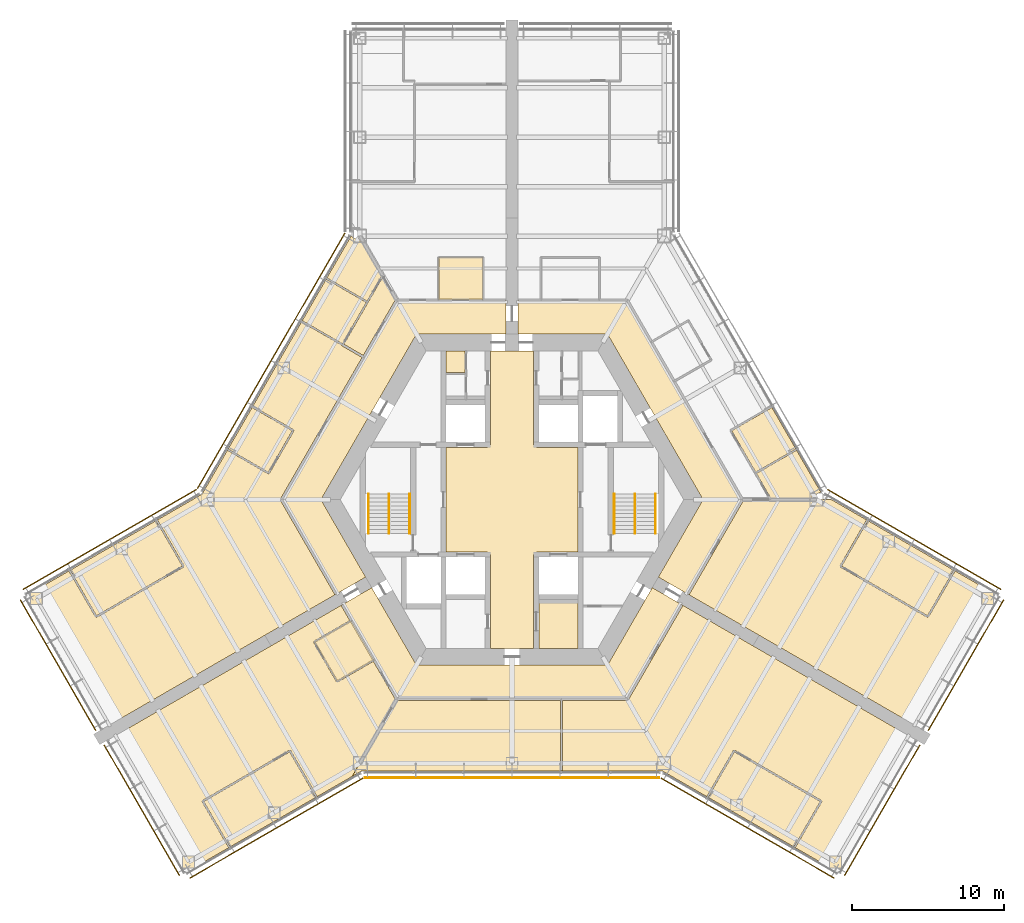
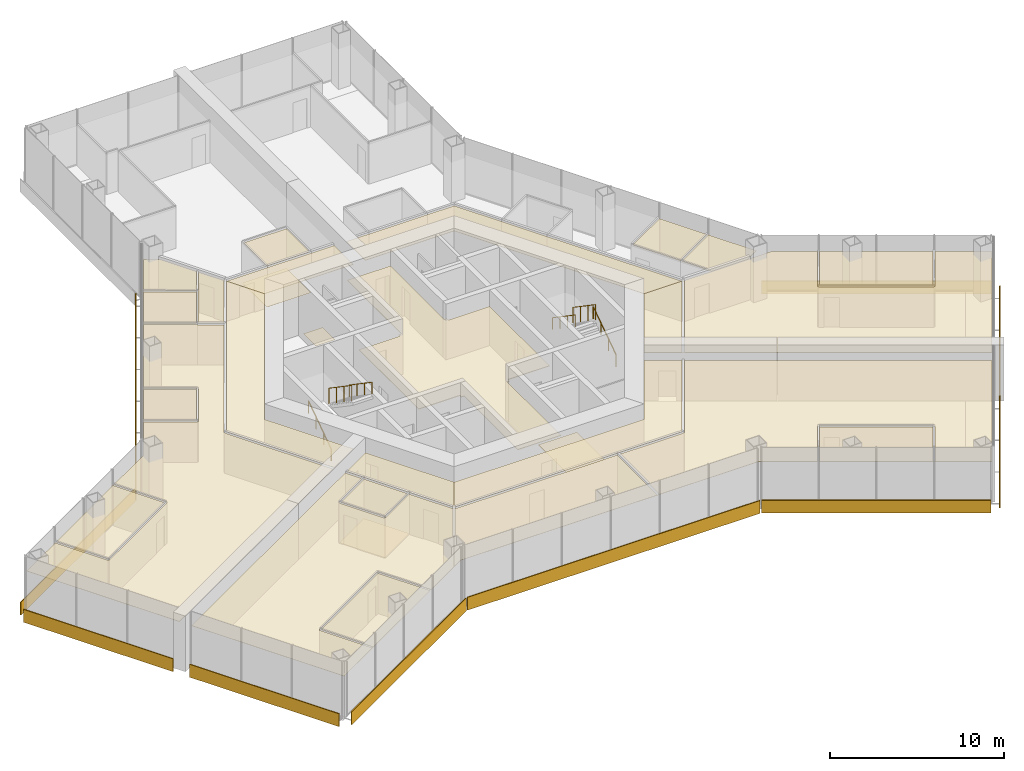
# One storey, part 17 of 18: 28 coverings, 10 shading devices, 6 railings.
"""IFC4 building model written with IfcOpenShell, lengths in metres."""

from ifc_helpers import new_model, si_unit, direction, frame, origin, origin_2d, place, context, subcontext, project, spatial, polyline, rectangle, circle, outline, extrude, material, layer, layer_set, type_object, element, save


model = new_model("IFC4")

# Units and contexts
model_context = context("Model", 3, precision=1e-05, world=origin(), true_north=direction((0.0, 1.0)))
body_context = subcontext(model_context, "Body", "Model", "MODEL_VIEW")
ifc_project = project(units=[si_unit("LENGTHUNIT", "METRE"), si_unit("AREAUNIT", "SQUARE_METRE"), si_unit("VOLUMEUNIT", "CUBIC_METRE"), si_unit("PLANEANGLEUNIT", "RADIAN"), si_unit("MASSUNIT", "GRAM", prefix="KILO")], contexts=[model_context])

# Site, building, storey
site_placement = place(None, origin())
site = spatial("IfcSite", under=ifc_project, at=site_placement, CompositionType="ELEMENT")
building_placement = place(site_placement, origin())
building = spatial("IfcBuilding", under=site, at=building_placement, Name="Kasaneha Research Tower", CompositionType="ELEMENT")
storey_placement = place(building_placement, frame((0.0, 0.0, 65.10009765625)))
storey = spatial("IfcBuildingStorey", under=building, at=storey_placement, Name="L16", CompositionType="ELEMENT", Elevation=65.10009765625)

# Covering
ifc_material_1 = material(Name="Aluminium panel ceiling", Category="aluminium")
ifc_layer_1 = layer(ifc_material_1, 0.0400390625)
ifc_layer_set_1 = layer_set([ifc_layer_1], Name="Lift lobby ceiling 40")
covering_type_1 = type_object("IfcCoveringType", Name="Lift lobby ceiling 40", PredefinedType="CEILING", material=ifc_layer_set_1)
covering_1_placement = place(storey_placement, frame((0.0, 0.0, 2.699951171875)))
element("IfcCovering", 1, at=covering_1_placement, inside=storey, type_object=covering_type_1, Name="Ceiling L16-01", PredefinedType="CEILING", context=body_context, shape_type="SweptSolid", body=[
    extrude(outline(polyline([(1.425048828125, 9.77490234375), (1.425048828125, 3.60009765625), (1.60009765625, 3.60009765625), (1.60009765625, 3.425048828125), (4.324951171875, 3.425048828125), (4.324951171875, -3.425048828125), (1.60009765625, -3.425048828125), (1.60009765625, -3.60009765625), (1.425048828125, -3.60009765625), (1.425048828125, -9.77490234375), (-1.425048828125, -9.77490234375), (-1.425048828125, -3.60009765625), (-1.60009765625, -3.60009765625), (-1.60009765625, -3.425048828125), (-4.324951171875, -3.425048828125), (-4.324951171875, 3.425048828125), (-1.60009765625, 3.425048828125), (-1.60009765625, 3.60009765625), (-1.425048828125, 3.60009765625), (-1.425048828125, 9.77490234375), (1.425048828125, 9.77490234375)])), origin(), (0.0, 0.0, 1.0), 0.0400390625),
])

# Railings
ifc_material_2 = material(Name="Steel", Category="steel")
railing_type_1 = type_object("IfcRailingType", Name="Stair balustrade 1100", PredefinedType="GUARDRAIL", material=ifc_material_2)
for number, where, name in (
    (2, (8.074951171875, 0.375, 2.127197265625), "Stair 1 balustrade L16"),
    (3, (-8.074951171875, 0.375, 2.127197265625), "Stair 2 balustrade L16"),
):
    element("IfcRailing", number, at=place(storey_placement, frame(where)), inside=storey, type_object=railing_type_1, Name=name, PredefinedType="GUARDRAIL", context=body_context, shape_type="SweptSolid", body=[
        extrude(circle(Radius=0.02392578125, at=origin_2d()), frame((0.0, 0.0, 1.076171875), z_axis=(0.0, -0.826240473404, 0.563317565952), x_axis=(1.0, 0.0, 0.0)), (0.0, 0.0, 1.0), 3.14697265625),
        extrude(circle(Radius=0.02099609375, at=origin_2d()), origin(), (0.0, 0.0, 1.0), 1.052001953125),
        extrude(circle(Radius=0.02099609375, at=origin_2d()), frame((0.0, -0.86669921875, 0.5908203125)), (0.0, 0.0, 1.0), 1.052001953125),
        extrude(circle(Radius=0.02099609375, at=origin_2d()), frame((0.0, -1.7333984375, 1.181884765625)), (0.0, 0.0, 1.0), 1.052001953125),
        extrude(circle(Radius=0.02099609375, at=origin_2d()), frame((0.0, -2.60009765625, 1.772705078125)), (0.0, 0.0, 1.0), 1.052001953125),
    ])
ifc_material_3 = material(Name="Steel", Category="steel")
railing_type_2 = type_object("IfcRailingType", Name="Stair handrail 850", PredefinedType="HANDRAIL", material=ifc_material_3)
railing_1_placement = place(storey_placement, frame((9.425048828125, -2.22509765625, 0.17724609375)))
element("IfcRailing", 4, at=railing_1_placement, inside=storey, type_object=railing_type_2, Name="Stair 1 handrail L16", PredefinedType="HANDRAIL", context=body_context, shape_type="SweptSolid", body=[
    extrude(circle(Radius=0.02392578125, at=origin_2d()), frame((0.0, 0.0, 0.826171875), z_axis=(0.0, 0.826240473404, 0.563317565952), x_axis=(-1.0, 0.0, 0.0)), (0.0, 0.0, 1.0), 3.14697265625),
    extrude(circle(Radius=0.02099609375, at=origin_2d()), origin(), (0.0, 0.0, 1.0), 0.802001953125),
    extrude(circle(Radius=0.02099609375, at=origin_2d()), frame((0.0, 0.86669921875, 0.5908203125)), (0.0, 0.0, 1.0), 0.802001953125),
    extrude(circle(Radius=0.02099609375, at=origin_2d()), frame((0.0, 1.7333984375, 1.181884765625)), (0.0, 0.0, 1.0), 0.802001953125),
    extrude(circle(Radius=0.02099609375, at=origin_2d()), frame((0.0, 2.60009765625, 1.772705078125)), (0.0, 0.0, 1.0), 0.802001953125),
])
railing_2_placement = place(storey_placement, frame((6.72509765625, 0.375, 2.127197265625)))
element("IfcRailing", 5, at=railing_2_placement, inside=storey, type_object=railing_type_2, Name="Stair 1 handrail L16", PredefinedType="HANDRAIL", context=body_context, shape_type="SweptSolid", body=[
    extrude(circle(Radius=0.02392578125, at=origin_2d()), frame((0.0, 0.0, 0.826171875), z_axis=(0.0, -0.826240473404, 0.563317565952), x_axis=(1.0, 0.0, 0.0)), (0.0, 0.0, 1.0), 3.14697265625),
    extrude(circle(Radius=0.02099609375, at=origin_2d()), origin(), (0.0, 0.0, 1.0), 0.802001953125),
    extrude(circle(Radius=0.02099609375, at=origin_2d()), frame((0.0, -0.86669921875, 0.5908203125)), (0.0, 0.0, 1.0), 0.802001953125),
    extrude(circle(Radius=0.02099609375, at=origin_2d()), frame((0.0, -1.7333984375, 1.181884765625)), (0.0, 0.0, 1.0), 0.802001953125),
    extrude(circle(Radius=0.02099609375, at=origin_2d()), frame((0.0, -2.60009765625, 1.772705078125)), (0.0, 0.0, 1.0), 0.802001953125),
])
railing_3_placement = place(storey_placement, frame((-9.425048828125, -2.22509765625, 0.17724609375)))
element("IfcRailing", 6, at=railing_3_placement, inside=storey, type_object=railing_type_2, Name="Stair 2 handrail L16", PredefinedType="HANDRAIL", context=body_context, shape_type="SweptSolid", body=[
    extrude(circle(Radius=0.02392578125, at=origin_2d()), frame((0.0, 0.0, 0.826171875), z_axis=(0.0, 0.826240473404, 0.563317565952), x_axis=(-1.0, 0.0, 0.0)), (0.0, 0.0, 1.0), 3.14697265625),
    extrude(circle(Radius=0.02099609375, at=origin_2d()), origin(), (0.0, 0.0, 1.0), 0.802001953125),
    extrude(circle(Radius=0.02099609375, at=origin_2d()), frame((0.0, 0.86669921875, 0.5908203125)), (0.0, 0.0, 1.0), 0.802001953125),
    extrude(circle(Radius=0.02099609375, at=origin_2d()), frame((0.0, 1.7333984375, 1.181884765625)), (0.0, 0.0, 1.0), 0.802001953125),
    extrude(circle(Radius=0.02099609375, at=origin_2d()), frame((0.0, 2.60009765625, 1.772705078125)), (0.0, 0.0, 1.0), 0.802001953125),
])
railing_4_placement = place(storey_placement, frame((-6.72509765625, 0.375, 2.127197265625)))
element("IfcRailing", 7, at=railing_4_placement, inside=storey, type_object=railing_type_2, Name="Stair 2 handrail L16", PredefinedType="HANDRAIL", context=body_context, shape_type="SweptSolid", body=[
    extrude(circle(Radius=0.02392578125, at=origin_2d()), frame((0.0, 0.0, 0.826171875), z_axis=(0.0, -0.826240473404, 0.563317565952), x_axis=(1.0, 0.0, 0.0)), (0.0, 0.0, 1.0), 3.14697265625),
    extrude(circle(Radius=0.02099609375, at=origin_2d()), origin(), (0.0, 0.0, 1.0), 0.802001953125),
    extrude(circle(Radius=0.02099609375, at=origin_2d()), frame((0.0, -0.86669921875, 0.5908203125)), (0.0, 0.0, 1.0), 0.802001953125),
    extrude(circle(Radius=0.02099609375, at=origin_2d()), frame((0.0, -1.7333984375, 1.181884765625)), (0.0, 0.0, 1.0), 0.802001953125),
    extrude(circle(Radius=0.02099609375, at=origin_2d()), frame((0.0, -2.60009765625, 1.772705078125)), (0.0, 0.0, 1.0), 0.802001953125),
])

# Coverings
ifc_material_4 = material(Name="Gypsum ceiling board", Category="gypsum")
ifc_layer_2 = layer(ifc_material_4, 0.02001953125)
ifc_layer_set_2 = layer_set([ifc_layer_2], Name="Suspended ceiling 20")
covering_type_2 = type_object("IfcCoveringType", Name="Suspended ceiling 20", PredefinedType="CEILING", material=ifc_layer_set_2)
covering_2_placement = place(storey_placement, frame((0.0, 0.0, 2.7998046875)))
element("IfcCovering", 8, at=covering_2_placement, inside=storey, type_object=covering_type_2, Name="Ceiling L16-27", PredefinedType="CEILING", context=body_context, shape_type="SweptSolid", body=[
    extrude(outline(polyline([(6.278564453125, 10.875), (0.39990234375, 10.875), (0.39990234375, 11.72509765625), (0.39990234375, 12.72509765625), (0.39990234375, 13.125), (0.419921875, 13.125), (0.419921875, 13.050048828125), (1.89501953125, 13.050048828125), (1.904541015625, 13.050048828125), (5.75244140625, 13.050048828125), (5.761962890625, 13.050048828125), (7.534423828125, 13.050048828125), (9.103759765625, 10.33154296875), (9.103759765625, 10.33154296875), (10.599365234375, 7.7412109375), (10.599365234375, 7.7412109375), (15.06884765625, 0.0), (12.557373046875, 0.0), (6.278564453125, 10.875)])), origin(), (0.0, 0.0, 1.0), 0.02001953125),
])
covering_3_placement = place(storey_placement, frame((0.0, 0.0, 2.7998046875)))
element("IfcCovering", 9, at=covering_3_placement, inside=storey, type_object=covering_type_2, Name="Ceiling L16-32", PredefinedType="CEILING", context=body_context, shape_type="SweptSolid", body=[
    extrude(outline(polyline([(18.679443359375, 3.287353515625), (18.662109375, 3.27734375), (18.63720703125, 3.320556640625), (16.0146484375, 1.812255859375), (14.43994140625, 4.530517578125), (17.081298828125, 6.055419921875), (17.05615234375, 6.098876953125), (17.05615234375, 6.098876953125), (18.679443359375, 3.287353515625)])), origin(), (0.0, 0.0, 1.0), 0.02001953125),
])
covering_4_placement = place(storey_placement, frame((0.0, 0.0, 2.7998046875)))
element("IfcCovering", 10, at=covering_4_placement, inside=storey, type_object=covering_type_2, Name="Ceiling L16-33", PredefinedType="CEILING", context=body_context, shape_type="SweptSolid", body=[
    extrude(outline(polyline([(20.28759765625, 0.501708984375), (19.41845703125, 0.0), (16.997802734375, 0.0), (16.986328125, 0.02001953125), (17.029541015625, 0.044921875), (16.064697265625, 1.7255859375), (18.68701171875, 3.23388671875), (18.662109375, 3.27734375), (18.679443359375, 3.287353515625), (20.28759765625, 0.501708984375)])), origin(), (0.0, 0.0, 1.0), 0.02001953125),
])
covering_5_placement = place(storey_placement, frame((0.0, 0.0, 2.7998046875)))
element("IfcCovering", 11, at=covering_5_placement, inside=storey, type_object=covering_type_2, Name="Ceiling L16-35", PredefinedType="CEILING", context=body_context, shape_type="SweptSolid", body=[
    extrude(outline(polyline([(-0.39990234375, 11.72509765625), (-0.39990234375, 10.875), (-6.278564453125, 10.875), (-7.534423828125, 13.050048828125), (-4.833984375, 13.050048828125), (-4.824462890625, 13.050048828125), (-1.904541015625, 13.050048828125), (-1.89501953125, 13.050048828125), (-0.419921875, 13.050048828125), (-0.419921875, 13.125), (-0.39990234375, 13.125), (-0.39990234375, 12.72509765625), (-0.39990234375, 11.72509765625)])), origin(), (0.0, 0.0, 1.0), 0.02001953125),
])
covering_6_placement = place(storey_placement, frame((0.0, 0.0, 2.7998046875)))
element("IfcCovering", 12, at=covering_6_placement, inside=storey, type_object=covering_type_2, Name="Ceiling L16-36", PredefinedType="CEILING", context=body_context, shape_type="SweptSolid", body=[
    extrude(outline(polyline([(-4.77880859375, 15.875), (-1.9501953125, 15.875), (-1.954345703125, 13.199951171875), (-4.774658203125, 13.199951171875), (-4.77880859375, 15.875)])), origin(), (0.0, 0.0, 1.0), 0.02001953125),
])
covering_7_placement = place(storey_placement, frame((0.0, 0.0, 2.7998046875)))
element("IfcCovering", 13, at=covering_7_placement, inside=storey, type_object=covering_type_2, Name="Ceiling L16-40", PredefinedType="CEILING", context=body_context, shape_type="SweptSolid", body=[
    extrude(outline(polyline([(-12.557373046875, 0.0), (-9.617919921875, -5.091064453125), (-11.566650390625, -6.216064453125), (-11.57666015625, -6.19873046875), (-11.51171875, -6.161376953125), (-15.06884765625, 0.0), (-9.676025390625, 9.3408203125), (-9.676025390625, 9.3408203125), (-7.534423828125, 13.050048828125), (-7.534423828125, 13.050048828125), (-6.278564453125, 10.875), (-12.557373046875, 0.0)])), origin(), (0.0, 0.0, 1.0), 0.02001953125),
])
covering_8_placement = place(storey_placement, frame((0.0, 0.0, 2.7998046875)))
element("IfcCovering", 14, at=covering_8_placement, inside=storey, type_object=covering_type_2, Name="Ceiling L16-41", PredefinedType="CEILING", context=body_context, shape_type="SweptSolid", body=[
    extrude(outline(polyline([(-23.34228515625, -1.352294921875), (-23.332275390625, -1.36962890625), (-23.37548828125, -1.39453125), (-21.660400390625, -4.364990234375), (-27.306640625, -7.625), (-29.03173828125, -4.63720703125), (-23.34228515625, -1.352294921875)])), origin(), (0.0, 0.0, 1.0), 0.02001953125),
])
covering_9_placement = place(storey_placement, frame((0.0, 0.0, 2.7998046875)))
element("IfcCovering", 15, at=covering_9_placement, inside=storey, type_object=covering_type_2, Name="Ceiling L16-42", PredefinedType="CEILING", context=body_context, shape_type="SweptSolid", body=[
    extrude(outline(polyline([(-12.211669921875, 14.489990234375), (-9.57666015625, 12.962890625), (-11.14501953125, 10.246337890625), (-13.767578125, 11.755126953125), (-13.79248046875, 11.711669921875), (-13.809814453125, 11.7216796875), (-12.211669921875, 14.489990234375)])), origin(), (0.0, 0.0, 1.0), 0.02001953125),
])
covering_10_placement = place(storey_placement, frame((0.0, 0.0, 2.7998046875)))
element("IfcCovering", 16, at=covering_10_placement, inside=storey, type_object=covering_type_2, Name="Ceiling L16-43", PredefinedType="CEILING", context=body_context, shape_type="SweptSolid", body=[
    extrude(outline(polyline([(-17.05615234375, 6.098876953125), (-17.05615234375, 6.098876953125), (-17.081298828125, 6.055419921875), (-14.439697265625, 4.530517578125), (-16.012939453125, 1.8056640625), (-18.63720703125, 3.320556640625), (-18.662109375, 3.27734375), (-18.679443359375, 3.287353515625), (-17.05615234375, 6.098876953125)])), origin(), (0.0, 0.0, 1.0), 0.02001953125),
])
covering_11_placement = place(storey_placement, frame((0.0, 0.0, 2.7998046875)))
element("IfcCovering", 17, at=covering_11_placement, inside=storey, type_object=covering_type_2, Name="Ceiling L16-44", PredefinedType="CEILING", context=body_context, shape_type="SweptSolid", body=[
    extrude(outline(polyline([(-10.578369140625, 17.318603515625), (-9.709228515625, 16.81689453125), (-8.498779296875, 14.720458984375), (-8.510498046875, 14.700439453125), (-8.5537109375, 14.7255859375), (-9.5263671875, 13.049560546875), (-12.16162109375, 14.576416015625), (-12.1865234375, 14.533203125), (-12.1865234375, 14.533203125), (-10.578369140625, 17.318603515625)])), origin(), (0.0, 0.0, 1.0), 0.02001953125),
])
covering_12_placement = place(storey_placement, frame((0.0, 0.0, 2.7998046875)))
element("IfcCovering", 18, at=covering_12_placement, inside=storey, type_object=covering_type_2, Name="Ceiling L16-45", PredefinedType="CEILING", context=body_context, shape_type="SweptSolid", body=[
    extrude(outline(polyline([(-15.15576171875, -0.000244140625), (-15.220458984375, -0.03759765625), (-11.6416015625, -6.236328125), (-11.576904296875, -6.198974609375), (-11.567138671875, -6.21630859375), (-26.891357421875, -15.063720703125), (-31.94140625, -6.31689453125), (-29.118408203125, -4.68701171875), (-27.368408203125, -7.71826171875), (-27.3251953125, -7.693359375), (-27.324951171875, -7.693603515625), (-27.32470703125, -7.693603515625), (-27.300048828125, -7.736572265625), (-21.567138671875, -4.4267578125), (-21.592041015625, -4.3837890625), (-21.592041015625, -4.3837890625), (-21.592041015625, -4.38330078125), (-21.548828125, -4.3583984375), (-23.288818359375, -1.344482421875), (-23.331787109375, -1.369384765625), (-23.341796875, -1.35205078125), (-20.365966796875, 0.365966796875), (-18.6796875, 3.286865234375), (-18.662353515625, 3.27685546875), (-18.68701171875, 3.23388671875), (-16.019775390625, 1.694091796875), (-15.99462890625, 1.7373046875), (-15.994384765625, 1.737060546875), (-15.994384765625, 1.737060546875), (-15.951416015625, 1.71240234375), (-14.328125, 4.523681640625), (-14.37109375, 4.548583984375), (-14.37109375, 4.548828125), (-14.371337890625, 4.549072265625), (-14.346435546875, 4.592041015625), (-17.03125, 6.14208984375), (-17.055908203125, 6.09912109375), (-17.055908203125, 6.09912109375), (-13.81005859375, 11.72119140625), (-13.792724609375, 11.711181640625), (-13.8173828125, 11.66845703125), (-11.151611328125, 10.135009765625), (-11.166748046875, 10.10888671875), (-9.84814453125, 9.34228515625), (-15.220458984375, 0.03759765625), (-15.15576171875, 0.000244140625), (-15.156005859375, 0.0), (-15.15576171875, -0.000244140625)])), origin(), (0.0, 0.0, 1.0), 0.02001953125),
])
covering_13_placement = place(storey_placement, frame((0.0, 0.0, 2.7998046875)))
element("IfcCovering", 19, at=covering_13_placement, inside=storey, type_object=covering_type_2, Name="Ceiling L16-46", PredefinedType="CEILING", context=body_context, shape_type="SweptSolid", body=[
    extrude(outline(polyline([(-7.577880859375, 13.12548828125), (-7.589599609375, 13.105224609375), (-7.654296875, 13.142578125), (-9.773193359375, 9.472412109375), (-11.04833984375, 10.213623046875), (-9.462646484375, 12.96044921875), (-8.469970703125, 14.67041015625), (-7.577880859375, 13.12548828125)])), origin(), (0.0, 0.0, 1.0), 0.02001953125),
])
covering_14_placement = place(storey_placement, frame((0.0, 0.0, 2.7998046875)))
element("IfcCovering", 20, at=covering_14_placement, inside=storey, type_object=covering_type_2, Name="Ceiling L16-47", PredefinedType="CEILING", context=body_context, shape_type="SweptSolid", body=[
    extrude(outline(polyline([(-9.218017578125, -5.783935546875), (-6.278564453125, -10.875), (-7.534423828125, -13.050048828125), (-7.534423828125, -13.050048828125), (-9.00390625, -10.5048828125), (-9.00390625, -10.5048828125), (-10.49951171875, -7.91455078125), (-10.499267578125, -7.91455078125), (-11.091552734375, -6.888671875), (-11.156494140625, -6.92626953125), (-11.16650390625, -6.908935546875), (-10.85693359375, -6.72998046875), (-9.218017578125, -5.783935546875)])), origin(), (0.0, 0.0, 1.0), 0.02001953125),
])
covering_15_placement = place(storey_placement, frame((0.0, 0.0, 2.7998046875)))
element("IfcCovering", 21, at=covering_15_placement, inside=storey, type_object=covering_type_2, Name="Ceiling L16-48", PredefinedType="CEILING", context=body_context, shape_type="SweptSolid", body=[
    extrude(outline(polyline([(-18.574951171875, -22.8486328125), (-18.5849609375, -22.831298828125), (-18.541748046875, -22.806396484375), (-20.256591796875, -19.835693359375), (-14.610595703125, -16.575927734375), (-12.885498046875, -19.563720703125), (-12.84228515625, -19.538818359375), (-12.84228515625, -19.538818359375), (-18.574951171875, -22.8486328125)])), origin(), (0.0, 0.0, 1.0), 0.02001953125),
])
covering_16_placement = place(storey_placement, frame((0.0, 0.0, 2.7998046875)))
element("IfcCovering", 22, at=covering_16_placement, inside=storey, type_object=covering_type_2, Name="Ceiling L16-49", PredefinedType="CEILING", context=body_context, shape_type="SweptSolid", body=[
    extrude(outline(polyline([(-12.923095703125, -9.366455078125), (-10.604248046875, -8.03271484375), (-9.15869140625, -10.53662109375), (-11.47314453125, -11.8779296875), (-12.923095703125, -9.366455078125)])), origin(), (0.0, 0.0, 1.0), 0.02001953125),
])
covering_17_placement = place(storey_placement, frame((0.0, 0.0, 2.7998046875)))
element("IfcCovering", 23, at=covering_17_placement, inside=storey, type_object=covering_type_2, Name="Ceiling L16-50", PredefinedType="CEILING", context=body_context, shape_type="SweptSolid", body=[
    extrude(outline(polyline([(-12.991943359375, -9.34814453125), (-12.991943359375, -9.348388671875), (-13.034912109375, -9.373046875), (-11.534912109375, -11.97119140625), (-11.491943359375, -11.946533203125), (-11.491943359375, -11.946533203125), (-11.491455078125, -11.9462890625), (-11.46630859375, -11.989501953125), (-9.108642578125, -10.623291015625), (-7.654296875, -13.142578125), (-7.589599609375, -13.105224609375), (-7.577880859375, -13.12548828125), (-10.5, -18.1865234375), (-12.841796875, -19.53857421875), (-12.841796875, -19.53857421875), (-12.798828125, -19.513916015625), (-14.548828125, -16.482666015625), (-14.59228515625, -16.5078125), (-14.6171875, -16.46435546875), (-20.35009765625, -19.774169921875), (-20.3251953125, -19.817138671875), (-20.325439453125, -19.817138671875), (-20.3251953125, -19.817626953125), (-20.368408203125, -19.842529296875), (-18.62841796875, -22.856201171875), (-18.58544921875, -22.83154296875), (-18.575439453125, -22.848876953125), (-21.44140625, -24.50341796875), (-26.491455078125, -15.756591796875), (-15.541259765625, -9.4345703125), (-11.1669921875, -6.9091796875), (-11.156982421875, -6.926513671875), (-11.221435546875, -6.963623046875), (-10.654296875, -7.946044921875), (-13.016357421875, -9.3046875), (-12.99169921875, -9.347900390625), (-12.991943359375, -9.34814453125)])), origin(), (0.0, 0.0, 1.0), 0.02001953125),
])
covering_18_placement = place(storey_placement, frame((0.0, 0.0, 2.7998046875)))
element("IfcCovering", 24, at=covering_18_placement, inside=storey, type_object=covering_type_2, Name="Ceiling L16-51", PredefinedType="CEILING", context=body_context, shape_type="SweptSolid", body=[
    extrude(outline(polyline([(15.06884765625, 0.0), (15.06884765625, 0.0), (11.51171875, -6.161376953125), (11.57666015625, -6.19873046875), (11.566650390625, -6.216064453125), (9.617919921875, -5.091064453125), (12.557373046875, 0.0), (15.06884765625, 0.0)])), origin(), (0.0, 0.0, 1.0), 0.02001953125),
])
covering_19_placement = place(storey_placement, frame((0.0, 0.0, 2.7998046875)))
element("IfcCovering", 25, at=covering_19_placement, inside=storey, type_object=covering_type_2, Name="Ceiling L16-52", PredefinedType="CEILING", context=body_context, shape_type="SweptSolid", body=[
    extrude(outline(polyline([(29.03173828125, -4.63720703125), (27.306640625, -7.625), (21.660400390625, -4.364990234375), (23.37548828125, -1.39453125), (23.332275390625, -1.36962890625), (23.34228515625, -1.352294921875), (29.03173828125, -4.63720703125)])), origin(), (0.0, 0.0, 1.0), 0.02001953125),
])
covering_20_placement = place(storey_placement, frame((0.0, 0.0, 2.7998046875)))
element("IfcCovering", 26, at=covering_20_placement, inside=storey, type_object=covering_type_2, Name="Ceiling L16-53", PredefinedType="CEILING", context=body_context, shape_type="SweptSolid", body=[
    extrude(outline(polyline([(16.93994140625, 0.0), (16.94287109375, -0.0048828125), (16.951416015625, 0.0), (21.0, 0.0), (23.341796875, -1.35205078125), (23.331787109375, -1.369384765625), (23.288818359375, -1.344482421875), (21.548828125, -4.3583984375), (21.592041015625, -4.38330078125), (21.591796875, -4.3837890625), (21.592041015625, -4.3837890625), (21.567138671875, -4.4267578125), (27.300048828125, -7.736572265625), (27.324951171875, -7.693115234375), (27.368408203125, -7.71826171875), (29.118408203125, -4.68701171875), (31.94140625, -6.31689453125), (26.891357421875, -15.063720703125), (11.567138671875, -6.21630859375), (11.576904296875, -6.198974609375), (11.6416015625, -6.236328125), (15.208740234375, -0.0576171875), (15.144287109375, -0.020263671875), (15.156005859375, 0.0), (16.93994140625, 0.0)])), origin(), (0.0, 0.0, 1.0), 0.02001953125),
])
covering_21_placement = place(storey_placement, frame((0.0, 0.0, 2.7998046875)))
element("IfcCovering", 27, at=covering_21_placement, inside=storey, type_object=covering_type_2, Name="Ceiling L16-54", PredefinedType="CEILING", context=body_context, shape_type="SweptSolid", body=[
    extrude(outline(polyline([(-6.278564453125, -10.875), (6.278564453125, -10.875), (9.218017578125, -5.783935546875), (10.85693359375, -6.72998046875), (11.16650390625, -6.908935546875), (11.156494140625, -6.92626953125), (11.091552734375, -6.888671875), (7.534423828125, -13.050048828125), (3.25146484375, -13.050048828125), (3.241455078125, -13.050048828125), (-7.534423828125, -13.050048828125), (-6.278564453125, -10.875)])), origin(), (0.0, 0.0, 1.0), 0.02001953125),
])
covering_22_placement = place(storey_placement, frame((0.0, 0.0, 2.7998046875)))
element("IfcCovering", 28, at=covering_22_placement, inside=storey, type_object=covering_type_2, Name="Ceiling L16-55", PredefinedType="CEILING", context=body_context, shape_type="SweptSolid", body=[
    extrude(outline(polyline([(12.84228515625, -19.538818359375), (12.84228515625, -19.538818359375), (12.885498046875, -19.563720703125), (14.610595703125, -16.575927734375), (20.256591796875, -19.835693359375), (18.541748046875, -22.806396484375), (18.5849609375, -22.831298828125), (18.574951171875, -22.8486328125), (12.84228515625, -19.538818359375)])), origin(), (0.0, 0.0, 1.0), 0.02001953125),
])
covering_23_placement = place(storey_placement, frame((0.0, 0.0, 2.7998046875)))
element("IfcCovering", 29, at=covering_23_placement, inside=storey, type_object=covering_type_2, Name="Ceiling L16-56", PredefinedType="CEILING", context=body_context, shape_type="SweptSolid", body=[
    extrude(outline(polyline([(7.578125, -13.125244140625), (7.642578125, -13.16259765625), (11.221435546875, -6.963623046875), (11.156982421875, -6.926513671875), (11.1669921875, -6.9091796875), (15.541259765625, -9.4345703125), (26.491455078125, -15.756591796875), (21.44140625, -24.50341796875), (18.575439453125, -22.848876953125), (18.58544921875, -22.83154296875), (18.62841796875, -22.856201171875), (20.368408203125, -19.842529296875), (20.3251953125, -19.817626953125), (20.325439453125, -19.817138671875), (20.3251953125, -19.817138671875), (20.35009765625, -19.774169921875), (14.6171875, -16.46435546875), (14.592529296875, -16.50732421875), (14.59228515625, -16.50732421875), (14.592041015625, -16.507568359375), (14.548828125, -16.482666015625), (12.798828125, -19.513916015625), (12.841796875, -19.53857421875), (12.841796875, -19.53857421875), (9.865966796875, -17.820556640625), (3.246337890625, -17.820556640625), (3.246337890625, -17.800537109375), (3.3212890625, -17.800537109375), (3.326416015625, -13.199951171875), (7.57763671875, -13.199951171875), (7.57763671875, -13.12548828125), (7.578125, -13.12548828125), (7.578125, -13.125244140625)])), origin(), (0.0, 0.0, 1.0), 0.02001953125),
])
covering_24_placement = place(storey_placement, frame((0.0, 0.0, 2.7998046875)))
element("IfcCovering", 30, at=covering_24_placement, inside=storey, type_object=covering_type_2, Name="Ceiling L16-57", PredefinedType="CEILING", context=body_context, shape_type="SweptSolid", body=[
    extrude(outline(polyline([(-7.577880859375, -13.12548828125), (-7.5546875, -13.12548828125), (-7.5546875, -13.199951171875), (3.17626953125, -13.199951171875), (3.17138671875, -17.800537109375), (3.246337890625, -17.800537109375), (3.246337890625, -17.820556640625), (-9.865966796875, -17.820556640625), (-10.5, -18.1865234375), (-7.577880859375, -13.12548828125)])), origin(), (0.0, 0.0, 1.0), 0.02001953125),
])

# Shading devices
ifc_material_5 = material(Name="Terracotta", Category="masonry")
ifc_layer_3 = layer(ifc_material_5, 0.06005859375)
ifc_layer_set_3 = layer_set([ifc_layer_3], Name="Terracotta baguette screen")
shading_device_type = type_object("IfcShadingDeviceType", Name="Terracotta baguette screen", PredefinedType="USERDEFINED", material=ifc_layer_set_3)
shading_device_1_placement = place(storey_placement, frame((-15.483642578125, -21.58349609375, -0.449951171875), z_axis=(0.0, 0.0, 1.0), x_axis=(0.866025411464, 0.499999986699, 0.0)))
element("IfcShadingDevice", 31, at=shading_device_1_placement, inside=storey, type_object=shading_device_type, Name="Baguette screen L16 01", ObjectType="TERRACOTTA BAGUETTE SCREEN", PredefinedType="USERDEFINED", context=body_context, shape_type="SweptSolid", body=[
    extrude(rectangle(XDim=13.13916015625, YDim=0.06005859375, at=origin_2d()), origin(), (0.0, 0.0, 1.0), 0.89990234375),
])
shading_device_2_placement = place(storey_placement, frame((0.0, -18.2705078125, -0.449951171875), z_axis=(0.0, 0.0, 1.0), x_axis=(1.0, 0.0, 0.0)))
element("IfcShadingDevice", 32, at=shading_device_2_placement, inside=storey, type_object=shading_device_type, Name="Baguette screen L16 02", ObjectType="TERRACOTTA BAGUETTE SCREEN", PredefinedType="USERDEFINED", context=body_context, shape_type="SweptSolid", body=[
    extrude(rectangle(XDim=19.37841796875, YDim=0.06005859375, at=origin_2d()), origin(), (0.0, 0.0, 1.0), 0.89990234375),
])
shading_device_3_placement = place(storey_placement, frame((15.483642578125, -21.58349609375, -0.449951171875), z_axis=(0.0, 0.0, 1.0), x_axis=(0.866025411464, -0.499999986699, 0.0)))
element("IfcShadingDevice", 33, at=shading_device_3_placement, inside=storey, type_object=shading_device_type, Name="Baguette screen L16 03", ObjectType="TERRACOTTA BAGUETTE SCREEN", PredefinedType="USERDEFINED", context=body_context, shape_type="SweptSolid", body=[
    extrude(rectangle(XDim=13.13916015625, YDim=0.06005859375, at=origin_2d()), origin(), (0.0, 0.0, 1.0), 0.89990234375),
])
for number, where, z_axis, x_axis, name in (
    (34, (24.3310546875, -20.3984375, -0.449951171875), (0.0, 0.0, 1.0), (0.500000011442, 0.866025397178, 0.0), "Baguette screen L16 04"),
    (35, (29.8310546875, -10.8720703125, -0.449951171875), (0.0, 0.0, 1.0), (0.500000011442, 0.866025397178, 0.0), "Baguette screen L16 05"),
):
    element("IfcShadingDevice", number, at=place(storey_placement, frame(where, z_axis=z_axis, x_axis=x_axis)), inside=storey, type_object=shading_device_type, Name=name, ObjectType="TERRACOTTA BAGUETTE SCREEN", PredefinedType="USERDEFINED", context=body_context, shape_type="SweptSolid", body=[
        extrude(rectangle(XDim=9.89990234375, YDim=0.06005859375, at=origin_2d()), origin(), (0.0, 0.0, 1.0), 0.89990234375),
    ])
shading_device_4_placement = place(storey_placement, frame((26.43359375, -2.617431640625, -0.449951171875), z_axis=(0.0, 0.0, 1.0), x_axis=(-0.866025411464, 0.499999986699, 0.0)))
element("IfcShadingDevice", 36, at=shading_device_4_placement, inside=storey, type_object=shading_device_type, Name="Baguette screen L16 06", ObjectType="TERRACOTTA BAGUETTE SCREEN", PredefinedType="USERDEFINED", context=body_context, shape_type="SweptSolid", body=[
    extrude(rectangle(XDim=13.13916015625, YDim=0.06005859375, at=origin_2d()), origin(), (0.0, 0.0, 1.0), 0.89990234375),
])
shading_device_5_placement = place(storey_placement, frame((-15.82275390625, 9.13525390625, -0.449951171875), z_axis=(0.0, 0.0, 1.0), x_axis=(-0.49999996188, -0.866025425793, 0.0)))
element("IfcShadingDevice", 37, at=shading_device_5_placement, inside=storey, type_object=shading_device_type, Name="Baguette screen L16 12", ObjectType="TERRACOTTA BAGUETTE SCREEN", PredefinedType="USERDEFINED", context=body_context, shape_type="SweptSolid", body=[
    extrude(rectangle(XDim=19.37841796875, YDim=0.06005859375, at=origin_2d()), origin(), (0.0, 0.0, 1.0), 0.89990234375),
])
shading_device_6_placement = place(storey_placement, frame((-26.43359375, -2.617431640625, -0.449951171875), z_axis=(0.0, 0.0, 1.0), x_axis=(-0.866025411464, -0.499999986699, 0.0)))
element("IfcShadingDevice", 38, at=shading_device_6_placement, inside=storey, type_object=shading_device_type, Name="Baguette screen L16 13", ObjectType="TERRACOTTA BAGUETTE SCREEN", PredefinedType="USERDEFINED", context=body_context, shape_type="SweptSolid", body=[
    extrude(rectangle(XDim=13.13916015625, YDim=0.06005859375, at=origin_2d()), origin(), (0.0, 0.0, 1.0), 0.89990234375),
])
for number, where, z_axis, x_axis, name in (
    (39, (-29.8310546875, -10.8720703125, -0.449951171875), (0.0, 0.0, 1.0), (0.500000011442, -0.866025397178, 0.0), "Baguette screen L16 14"),
    (40, (-24.3310546875, -20.3984375, -0.449951171875), (0.0, 0.0, 1.0), (0.500000011442, -0.866025397178, 0.0), "Baguette screen L16 15"),
):
    element("IfcShadingDevice", number, at=place(storey_placement, frame(where, z_axis=z_axis, x_axis=x_axis)), inside=storey, type_object=shading_device_type, Name=name, ObjectType="TERRACOTTA BAGUETTE SCREEN", PredefinedType="USERDEFINED", context=body_context, shape_type="SweptSolid", body=[
        extrude(rectangle(XDim=9.89990234375, YDim=0.06005859375, at=origin_2d()), origin(), (0.0, 0.0, 1.0), 0.89990234375),
    ])

# Coverings
ifc_material_6 = material(Name="Vinyl sheet flooring", Category="plastic")
ifc_layer_4 = layer(ifc_material_6, 0.0048828125)
ifc_layer_set_4 = layer_set([ifc_layer_4], Name="Wet room sheet flooring 5")
covering_type_3 = type_object("IfcCoveringType", Name="Wet room sheet flooring 5", PredefinedType="FLOORING", material=ifc_layer_set_4)
covering_25_placement = place(storey_placement, origin())
element("IfcCovering", 41, at=covering_25_placement, inside=storey, type_object=covering_type_3, Name="Floor finish L16-07", PredefinedType="FLOORING", context=body_context, shape_type="SweptSolid", body=[
    extrude(outline(polyline([(-4.324951171875, 8.35498046875), (-4.324951171875, 9.77490234375), (-3.074951171875, 9.77490234375), (-3.074951171875, 8.35498046875), (-4.324951171875, 8.35498046875)])), origin(), (0.0, 0.0, 1.0), 0.0048828125),
])
covering_26_placement = place(storey_placement, origin())
element("IfcCovering", 42, at=covering_26_placement, inside=storey, type_object=covering_type_3, Name="Floor finish L16-13", PredefinedType="FLOORING", context=body_context, shape_type="SweptSolid", body=[
    extrude(outline(polyline([(1.77490234375, -9.77490234375), (1.77490234375, -6.574951171875), (4.324951171875, -6.574951171875), (4.324951171875, -9.77490234375), (1.77490234375, -9.77490234375)])), origin(), (0.0, 0.0, 1.0), 0.0048828125),
])
covering_27_placement = place(storey_placement, origin())
element("IfcCovering", 43, at=covering_27_placement, inside=storey, type_object=covering_type_3, Name="Floor finish L16-36", PredefinedType="FLOORING", context=body_context, shape_type="SweptSolid", body=[
    extrude(outline(polyline([(-4.8291015625, 15.925048828125), (-1.89990234375, 15.925048828125), (-1.89990234375, 13.125), (-4.8291015625, 13.125), (-4.8291015625, 15.925048828125)])), origin(), (0.0, 0.0, 1.0), 0.0048828125),
])
covering_28_placement = place(storey_placement, origin())
element("IfcCovering", 44, at=covering_28_placement, inside=storey, type_object=covering_type_3, Name="Floor finish L16-49", PredefinedType="FLOORING", context=body_context, shape_type="SweptSolid", body=[
    extrude(outline(polyline([(-11.491455078125, -11.9462890625), (-12.991455078125, -9.34814453125), (-10.566650390625, -7.9482421875), (-9.066650390625, -10.546142578125), (-11.491455078125, -11.9462890625)])), origin(), (0.0, 0.0, 1.0), 0.0048828125),
])

save(model, "model.ifc")
